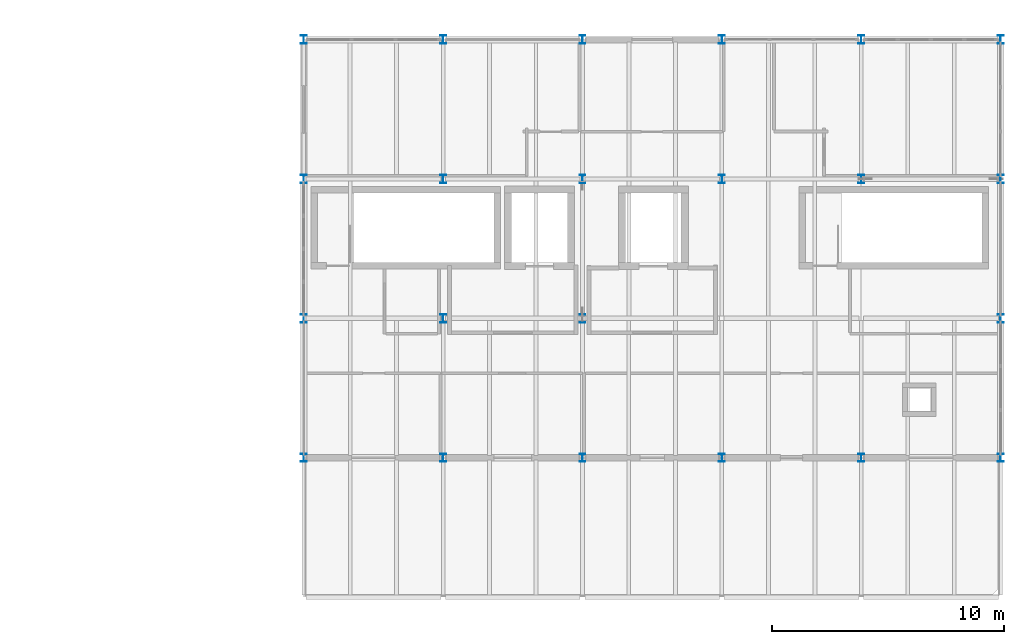
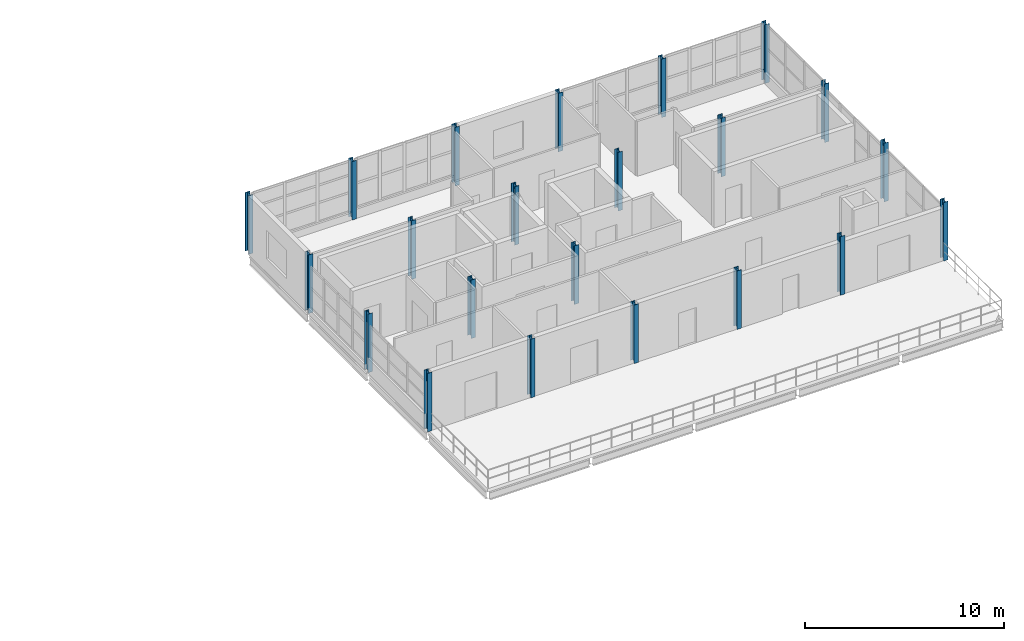
# One storey, part 2 of 20: 22 columns.
"""IFC4 building model written with IfcOpenShell, lengths in metres."""

from ifc_helpers import new_model, si_unit, direction, frame, origin, origin_2d, place, context, subcontext, project, spatial, i_section, extrude, material, material_profile, profile_set, type_object, element, save


model = new_model("IFC4")

# Units and contexts
model_context = context("Model", 3, precision=1e-05, world=origin(), true_north=direction((0.0, 1.0)))
body_context = subcontext(model_context, "Body", "Model", "MODEL_VIEW")
ifc_project = project(units=[si_unit("LENGTHUNIT", "METRE"), si_unit("AREAUNIT", "SQUARE_METRE"), si_unit("VOLUMEUNIT", "CUBIC_METRE"), si_unit("PLANEANGLEUNIT", "RADIAN"), si_unit("MASSUNIT", "GRAM", prefix="KILO")], contexts=[model_context])

# Site, building, storey
site_placement = place(None, origin())
site = spatial("IfcSite", under=ifc_project, at=site_placement, CompositionType="ELEMENT")
building_placement = place(site_placement, origin())
building = spatial("IfcBuilding", under=site, at=building_placement, Name="Siltcreek Boulevard Central Fire Station", CompositionType="ELEMENT")
storey_placement = place(building_placement, frame((0.0, 0.0, 18.0)))
storey = spatial("IfcBuildingStorey", under=building, at=storey_placement, Name="L05", CompositionType="ELEMENT", Elevation=18.0)

# Columns
ifc_material = material(Name="Structural steel ASTM A992 Gr50", Category="steel")
ifc_material_profile = material_profile(ifc_material, i_section(OverallWidth=0.256103515625, OverallDepth=0.360107421875, WebThickness=0.011474609375, FlangeThickness=0.02001953125, at=origin_2d()), Name="W360X110")
ifc_profile_set = profile_set([ifc_material_profile], Name="Structural steel ASTM A992 Gr50")
column_type = type_object("IfcColumnType", Name="COL_W360X110", PredefinedType="COLUMN", material=ifc_profile_set)
for number, where, z_axis, x_axis, name in (
    (1, (124.199951171875, 94.199951171875, 0.0), (0.0, 0.0, 1.0), (1.0, 0.0, 0.0), "L05 structural column COLG-L05-1242-942"),
    (2, (124.199951171875, 100.199951171875, 0.0), (0.0, 0.0, 1.0), (1.0, 0.0, 0.0), "L05 structural column COLG-L05-1242-1002"),
    (3, (124.199951171875, 106.199951171875, 0.0), (0.0, 0.0, 1.0), (1.0, 0.0, 0.0), "L05 structural column COLG-L05-1242-1062"),
    (4, (124.199951171875, 112.199951171875, 0.0), (0.0, 0.0, 1.0), (1.0, 0.0, 0.0), "L05 structural column COLG-L05-1242-1122"),
    (5, (130.199951171875, 94.199951171875, 0.0), (0.0, 0.0, 1.0), (1.0, 0.0, 0.0), "L05 structural column COLG-L05-1302-942"),
    (6, (130.199951171875, 100.199951171875, 0.0), (0.0, 0.0, 1.0), (1.0, 0.0, 0.0), "L05 structural column COLG-L05-1302-1002"),
    (7, (130.199951171875, 106.199951171875, 0.0), (0.0, 0.0, 1.0), (1.0, 0.0, 0.0), "L05 structural column COLG-L05-1302-1062"),
    (8, (130.199951171875, 112.199951171875, 0.0), (0.0, 0.0, 1.0), (1.0, 0.0, 0.0), "L05 structural column COLG-L05-1302-1122"),
    (9, (136.199951171875, 94.199951171875, 0.0), (0.0, 0.0, 1.0), (1.0, 0.0, 0.0), "L05 structural column COLG-L05-1362-942"),
    (10, (136.199951171875, 100.199951171875, 0.0), (0.0, 0.0, 1.0), (1.0, 0.0, 0.0), "L05 structural column COLG-L05-1362-1002"),
    (11, (136.199951171875, 106.199951171875, 0.0), (0.0, 0.0, 1.0), (1.0, 0.0, 0.0), "L05 structural column COLG-L05-1362-1062"),
    (12, (136.199951171875, 112.199951171875, 0.0), (0.0, 0.0, 1.0), (1.0, 0.0, 0.0), "L05 structural column COLG-L05-1362-1122"),
    (13, (142.199951171875, 94.199951171875, 0.0), (0.0, 0.0, 1.0), (1.0, 0.0, 0.0), "L05 structural column COLG-L05-1422-942"),
    (14, (142.199951171875, 106.199951171875, 0.0), (0.0, 0.0, 1.0), (1.0, 0.0, 0.0), "L05 structural column COLG-L05-1422-1062"),
    (15, (142.199951171875, 112.199951171875, 0.0), (0.0, 0.0, 1.0), (1.0, 0.0, 0.0), "L05 structural column COLG-L05-1422-1122"),
    (16, (148.199951171875, 94.199951171875, 0.0), (0.0, 0.0, 1.0), (1.0, 0.0, 0.0), "L05 structural column COLG-L05-1482-942"),
    (17, (148.199951171875, 106.199951171875, 0.0), (0.0, 0.0, 1.0), (1.0, 0.0, 0.0), "L05 structural column COLG-L05-1482-1062"),
    (18, (148.199951171875, 112.199951171875, 0.0), (0.0, 0.0, 1.0), (1.0, 0.0, 0.0), "L05 structural column COLG-L05-1482-1122"),
    (19, (154.199951171875, 94.199951171875, 0.0), (0.0, 0.0, 1.0), (1.0, 0.0, 0.0), "L05 structural column COLG-L05-1542-942"),
    (20, (154.199951171875, 100.199951171875, 0.0), (0.0, 0.0, 1.0), (1.0, 0.0, 0.0), "L05 structural column COLG-L05-1542-1002"),
    (21, (154.199951171875, 106.199951171875, 0.0), (0.0, 0.0, 1.0), (1.0, 0.0, 0.0), "L05 structural column COLG-L05-1542-1062"),
    (22, (154.199951171875, 112.199951171875, 0.0), (0.0, 0.0, 1.0), (1.0, 0.0, 0.0), "L05 structural column COLG-L05-1542-1122"),
):
    element("IfcColumn", number, at=place(storey_placement, frame(where, z_axis=z_axis, x_axis=x_axis)), inside=storey, type_object=column_type, Name=name, PredefinedType="COLUMN", context=body_context, shape_type="SweptSolid", body=[
        extrude(i_section(OverallWidth=0.256103515625, OverallDepth=0.360107421875, WebThickness=0.011474609375, FlangeThickness=0.02001953125, at=origin_2d()), origin(), (0.0, 0.0, 1.0), 3.60009765625),
    ])

save(model, "model.ifc")
